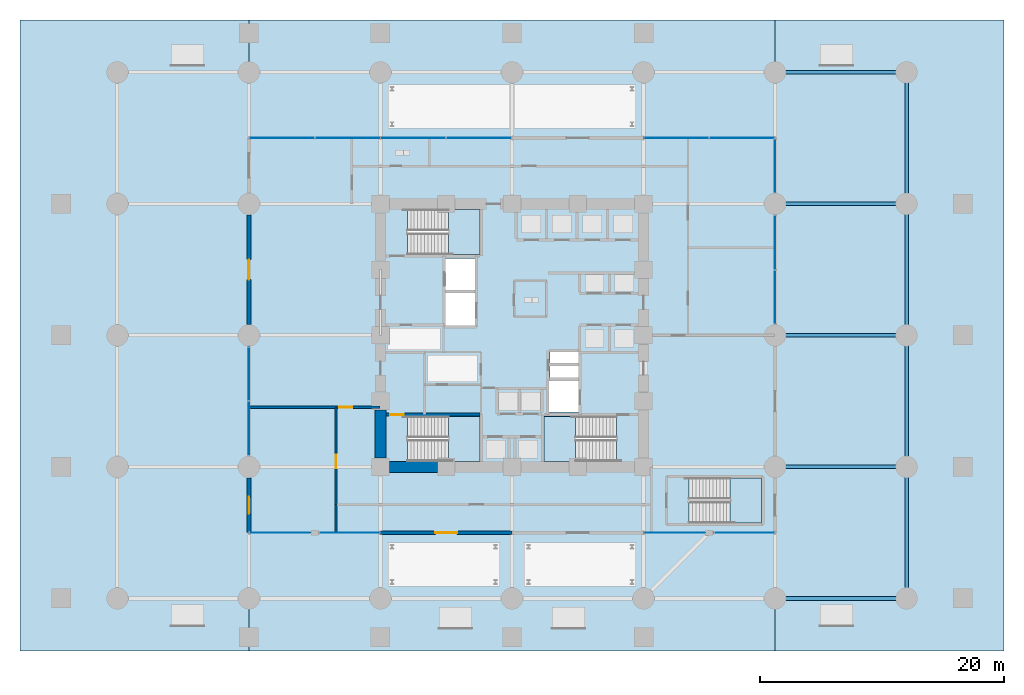
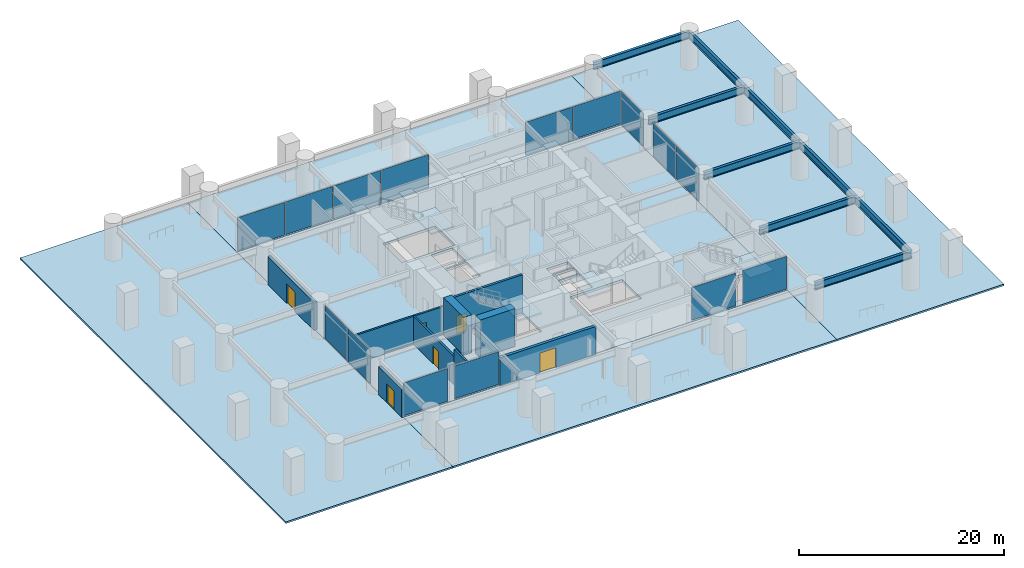
# One storey, part 18 of 29: 15 plates, 9 beams, 9 slabs, 9 walls, 6 doors, 6 openings, 10 elements without a shape of their own.
"""IFC4 building model written with IfcOpenShell, lengths in metres."""

from ifc_helpers import new_model, si_unit, direction, frame, frame_2d, origin, origin_2d, place, context, subcontext, project, spatial, polyline, rectangle, i_section, outline, extrude, material, layer, layer_set, material_profile, profile_set, type_object, element, fill, aggregate, save


model = new_model("IFC4")

# Units and contexts
model_context = context("Model", 3, precision=1e-05, world=origin(), true_north=direction((0.0, 1.0)))
body_context = subcontext(model_context, "Body", "Model", "MODEL_VIEW")
ifc_project = project(units=[si_unit("LENGTHUNIT", "METRE"), si_unit("AREAUNIT", "SQUARE_METRE"), si_unit("VOLUMEUNIT", "CUBIC_METRE"), si_unit("PLANEANGLEUNIT", "RADIAN"), si_unit("MASSUNIT", "GRAM", prefix="KILO")], contexts=[model_context])

# Site, building, storey
site_placement = place(None, origin())
site = spatial("IfcSite", under=ifc_project, at=site_placement, CompositionType="ELEMENT")
building_placement = place(site_placement, origin())
building = spatial("IfcBuilding", under=site, at=building_placement, Name="Surkhivell Harbour Commons", CompositionType="ELEMENT")
storey_placement = place(building_placement, origin())
storey = spatial("IfcBuildingStorey", under=building, at=storey_placement, Name="L00", CompositionType="ELEMENT", Elevation=0.0)

# Beams
ifc_material_1 = material(Name="Steel S460", Category="steel")
ifc_material_profile = material_profile(ifc_material_1, i_section(OverallWidth=0.2939453125, OverallDepth=0.85107421875, WebThickness=0.01611328125, FlangeThickness=0.02685546875, at=origin_2d()), Name="UB838x292x226")
ifc_profile_set = profile_set([ifc_material_profile], Name="Steel S460")
beam_type = type_object("IfcBeamType", Name="BM-SPN-838", PredefinedType="SPANDREL", material=ifc_profile_set)
for number, where, z_axis, x_axis, name in (
    (1, (21.60009765625, -21.60009765625, 3.7744140625), (1.0, 0.0, 0.0), (0.0, 1.0, 0.0), "L00 Framing Beam (21.6,-21.6)"),
    (2, (21.60009765625, -10.800048828125, 3.7744140625), (1.0, 0.0, 0.0), (0.0, 1.0, 0.0), "L00 Framing Beam (21.6,-10.8)"),
    (3, (21.60009765625, 0.0, 3.7744140625), (1.0, 0.0, 0.0), (0.0, 1.0, 0.0), "L00 Framing Beam (21.6,0.0)"),
    (4, (21.60009765625, 10.800048828125, 3.7744140625), (1.0, 0.0, 0.0), (0.0, 1.0, 0.0), "L00 Framing Beam (21.6,10.8)"),
    (5, (21.60009765625, 21.60009765625, 3.7744140625), (1.0, 0.0, 0.0), (0.0, 1.0, 0.0), "L00 Framing Beam (21.6,21.6)"),
):
    element("IfcBeam", number, at=place(storey_placement, frame(where, z_axis=z_axis, x_axis=x_axis)), inside=storey, type_object=beam_type, Name=name, PredefinedType="SPANDREL", context=body_context, shape_type="SweptSolid", body=[
        extrude(i_section(OverallWidth=0.2939453125, OverallDepth=0.85107421875, WebThickness=0.01611328125, FlangeThickness=0.02685546875, at=origin_2d()), origin(), (0.0, 0.0, 1.0), 10.7998046875),
    ])
for number, where, z_axis, x_axis, name in (
    (6, (32.39990234375, -21.60009765625, 3.7744140625), (0.0, 1.0, 0.0), (-1.0, 0.0, 0.0), "L00 Framing Beam (32.4,-21.6)"),
    (7, (32.39990234375, -10.800048828125, 3.7744140625), (0.0, 1.0, 0.0), (-1.0, 0.0, 0.0), "L00 Framing Beam (32.4,-10.8)"),
    (8, (32.39990234375, 0.0, 3.7744140625), (0.0, 1.0, 0.0), (-1.0, 0.0, 0.0), "L00 Framing Beam (32.4,0.0)"),
    (9, (32.39990234375, 10.800048828125, 3.7744140625), (0.0, 1.0, 0.0), (-1.0, 0.0, 0.0), "L00 Framing Beam (32.4,10.8)"),
):
    element("IfcBeam", number, at=place(storey_placement, frame(where, z_axis=z_axis, x_axis=x_axis)), inside=storey, type_object=beam_type, Name=name, PredefinedType="SPANDREL", context=body_context, shape_type="SweptSolid", body=[
        extrude(i_section(OverallWidth=0.2939453125, OverallDepth=0.85107421875, WebThickness=0.01611328125, FlangeThickness=0.02685546875, at=origin_2d()), origin(), (0.0, 0.0, 1.0), 10.800048828125),
    ])

# Curtain wall, plates
ifc_material_2 = material(Name="Anodised pale-metal aluminium and insulated glazing", Category="aluminium")
ifc_layer_1 = layer(ifc_material_2, 0.239990234375)
ifc_layer_set_1 = layer_set([ifc_layer_1], Name="Anodised pale-metal aluminium and insulated glazing")
curtain_wall_type = type_object("IfcCurtainWallType", Name="CW-SYS-POD", PredefinedType="NOTDEFINED", material=ifc_layer_set_1)
curtain_wall_1_placement = place(storey_placement, origin())
curtain_wall_1 = element("IfcCurtainWall", 10, at=curtain_wall_1_placement, inside=storey, type_object=curtain_wall_type, Name="L00 Curtain Wall CW-L00-P01", PredefinedType="NOTDEFINED")
ifc_material_3 = material(Name="Double-silver low-E laminated vision glass", Category="glass")
ifc_layer_2 = layer(ifc_material_3, 0.031982421875)
ifc_layer_set_2 = layer_set([ifc_layer_2], Name="Double-silver low-E laminated vision glass")
plate_type = type_object("IfcPlateType", Name="CWP-GLZ-32", PredefinedType="CURTAIN_PANEL", material=ifc_layer_set_2)
plate_1_placement = place(storey_placement, frame((-21.52490234375, -16.199951171875, 0.14990234375), z_axis=(0.0, 0.0, 1.0), x_axis=(1.0, 0.0, 0.0)))
plate_1 = element("IfcPlate", 11, at=plate_1_placement, type_object=plate_type, Name="CW-POD panel 1.1", PredefinedType="CURTAIN_PANEL", context=body_context, shape_type="SweptSolid", body=[
    extrude(rectangle(XDim=4.9228515625, YDim=0.031982421875, at=frame_2d((2.46142578125, 0.0))), origin(), (0.0, 0.0, 1.0), 3.900146484375),
])
plate_2_placement = place(storey_placement, frame((-15.798095703125, -16.199951171875, 0.14990234375), z_axis=(0.0, 0.0, 1.0), x_axis=(1.0, 0.0, 0.0)))
plate_2 = element("IfcPlate", 12, at=plate_2_placement, type_object=plate_type, Name="CW-POD panel 2.1", PredefinedType="CURTAIN_PANEL", context=body_context, shape_type="SweptSolid", body=[
    extrude(rectangle(XDim=4.923095703125, YDim=0.031982421875, at=frame_2d((2.46142578125, 0.0))), origin(), (0.0, 0.0, 1.0), 3.900146484375),
])
aggregate(curtain_wall_1, [plate_1, plate_2])

curtain_wall_2_placement = place(storey_placement, origin())
curtain_wall_2 = element("IfcCurtainWall", 13, at=curtain_wall_2_placement, inside=storey, type_object=curtain_wall_type, Name="L00 Curtain Wall CW-L00-P02", PredefinedType="NOTDEFINED")
plate_3_placement = place(storey_placement, frame((10.875, -16.199951171875, 0.14990234375), z_axis=(0.0, 0.0, 1.0), x_axis=(1.0, 0.0, 0.0)))
plate_3 = element("IfcPlate", 14, at=plate_3_placement, type_object=plate_type, Name="CW-POD panel 1.1", PredefinedType="CURTAIN_PANEL", context=body_context, shape_type="SweptSolid", body=[
    extrude(rectangle(XDim=4.923095703125, YDim=0.031982421875, at=frame_2d((2.46142578125, 0.0))), origin(), (0.0, 0.0, 1.0), 3.900146484375),
])
plate_4_placement = place(storey_placement, frame((16.60205078125, -16.199951171875, 0.14990234375), z_axis=(0.0, 0.0, 1.0), x_axis=(1.0, 0.0, 0.0)))
plate_4 = element("IfcPlate", 15, at=plate_4_placement, type_object=plate_type, Name="CW-POD panel 2.1", PredefinedType="CURTAIN_PANEL", context=body_context, shape_type="SweptSolid", body=[
    extrude(rectangle(XDim=4.9228515625, YDim=0.031982421875, at=frame_2d((2.46142578125, 0.0))), origin(), (0.0, 0.0, 1.0), 3.900146484375),
])
aggregate(curtain_wall_2, [plate_3, plate_4])

curtain_wall_3_placement = place(storey_placement, origin())
curtain_wall_3 = element("IfcCurtainWall", 16, at=curtain_wall_3_placement, inside=storey, type_object=curtain_wall_type, Name="L00 Curtain Wall CW-L00-P03", PredefinedType="NOTDEFINED")
plate_5_placement = place(storey_placement, frame((-21.52490234375, 16.199951171875, 0.14990234375), z_axis=(0.0, 0.0, 1.0), x_axis=(1.0, 0.0, 0.0)))
plate_5 = element("IfcPlate", 17, at=plate_5_placement, type_object=plate_type, Name="CW-POD panel 1.1", PredefinedType="CURTAIN_PANEL", context=body_context, shape_type="SweptSolid", body=[
    extrude(rectangle(XDim=5.287353515625, YDim=0.031982421875, at=frame_2d((2.6435546875, 0.0))), origin(), (0.0, 0.0, 1.0), 3.900146484375),
])
plate_6_placement = place(storey_placement, frame((-16.16259765625, 16.199951171875, 0.14990234375), z_axis=(0.0, 0.0, 1.0), x_axis=(1.0, 0.0, 0.0)))
plate_6 = element("IfcPlate", 18, at=plate_6_placement, type_object=plate_type, Name="CW-POD panel 2.1", PredefinedType="CURTAIN_PANEL", context=body_context, shape_type="SweptSolid", body=[
    extrude(rectangle(XDim=5.3251953125, YDim=0.031982421875, at=frame_2d((2.66259765625, 0.0))), origin(), (0.0, 0.0, 1.0), 3.900146484375),
])
plate_7_placement = place(storey_placement, frame((-10.762451171875, 16.199951171875, 0.14990234375), z_axis=(0.0, 0.0, 1.0), x_axis=(1.0, 0.0, 0.0)))
plate_7 = element("IfcPlate", 19, at=plate_7_placement, type_object=plate_type, Name="CW-POD panel 3.1", PredefinedType="CURTAIN_PANEL", context=body_context, shape_type="SweptSolid", body=[
    extrude(rectangle(XDim=5.324951171875, YDim=0.031982421875, at=frame_2d((2.66259765625, 0.0))), origin(), (0.0, 0.0, 1.0), 3.900146484375),
])
plate_8_placement = place(storey_placement, frame((-5.362548828125, 16.199951171875, 0.14990234375), z_axis=(0.0, 0.0, 1.0), x_axis=(1.0, 0.0, 0.0)))
plate_8 = element("IfcPlate", 20, at=plate_8_placement, type_object=plate_type, Name="CW-POD panel 4.1", PredefinedType="CURTAIN_PANEL", context=body_context, shape_type="SweptSolid", body=[
    extrude(rectangle(XDim=5.28759765625, YDim=0.031982421875, at=frame_2d((2.643798828125, 0.0))), origin(), (0.0, 0.0, 1.0), 3.900146484375),
])
aggregate(curtain_wall_3, [plate_5, plate_6, plate_7, plate_8])

curtain_wall_4_placement = place(storey_placement, origin())
curtain_wall_4 = element("IfcCurtainWall", 21, at=curtain_wall_4_placement, inside=storey, type_object=curtain_wall_type, Name="L00 Curtain Wall CW-L00-P04", PredefinedType="NOTDEFINED")
plate_9_placement = place(storey_placement, frame((10.875, 16.199951171875, 0.14990234375), z_axis=(0.0, 0.0, 1.0), x_axis=(1.0, 0.0, 0.0)))
plate_9 = element("IfcPlate", 22, at=plate_9_placement, type_object=plate_type, Name="CW-POD panel 1.1", PredefinedType="CURTAIN_PANEL", context=body_context, shape_type="SweptSolid", body=[
    extrude(rectangle(XDim=5.28759765625, YDim=0.031982421875, at=frame_2d((2.643798828125, 0.0))), origin(), (0.0, 0.0, 1.0), 3.900146484375),
])
plate_10_placement = place(storey_placement, frame((16.237548828125, 16.199951171875, 0.14990234375), z_axis=(0.0, 0.0, 1.0), x_axis=(1.0, 0.0, 0.0)))
plate_10 = element("IfcPlate", 23, at=plate_10_placement, type_object=plate_type, Name="CW-POD panel 2.1", PredefinedType="CURTAIN_PANEL", context=body_context, shape_type="SweptSolid", body=[
    extrude(rectangle(XDim=5.287353515625, YDim=0.031982421875, at=frame_2d((2.6435546875, 0.0))), origin(), (0.0, 0.0, 1.0), 3.900146484375),
])
aggregate(curtain_wall_4, [plate_9, plate_10])

curtain_wall_5_placement = place(storey_placement, origin())
curtain_wall_5 = element("IfcCurtainWall", 24, at=curtain_wall_5_placement, inside=storey, type_object=curtain_wall_type, Name="L00 Curtain Wall CW-L00-P05", PredefinedType="NOTDEFINED")
plate_11_placement = place(storey_placement, frame((-21.60009765625, -9.822998046875, 0.14990234375), z_axis=(0.0, 0.0, 1.0), x_axis=(0.0, 1.0, 0.0)))
plate_11 = element("IfcPlate", 25, at=plate_11_placement, type_object=plate_type, Name="CW-POD panel 1.1", PredefinedType="CURTAIN_PANEL", context=body_context, shape_type="SweptSolid", body=[
    extrude(rectangle(XDim=4.385498046875, YDim=0.031982421875, at=frame_2d((2.19287109375, 0.0))), origin(), (0.0, 0.0, 1.0), 3.900146484375),
])
plate_12_placement = place(storey_placement, frame((-21.60009765625, -5.362548828125, 0.14990234375), z_axis=(0.0, 0.0, 1.0), x_axis=(0.0, 1.0, 0.0)))
plate_12 = element("IfcPlate", 26, at=plate_12_placement, type_object=plate_type, Name="CW-POD panel 2.1", PredefinedType="CURTAIN_PANEL", context=body_context, shape_type="SweptSolid", body=[
    extrude(rectangle(XDim=4.385498046875, YDim=0.031982421875, at=frame_2d((2.19287109375, 0.0))), origin(), (0.0, 0.0, 1.0), 3.900146484375),
])
aggregate(curtain_wall_5, [plate_11, plate_12])

curtain_wall_6_placement = place(storey_placement, origin())
curtain_wall_6 = element("IfcCurtainWall", 27, at=curtain_wall_6_placement, inside=storey, type_object=curtain_wall_type, Name="L00 Curtain Wall CW-L00-P06", PredefinedType="NOTDEFINED")
plate_13_placement = place(storey_placement, frame((21.60009765625, 16.125, 0.14990234375), z_axis=(0.0, 0.0, 1.0), x_axis=(0.0, -1.0, 0.0)))
plate_13 = element("IfcPlate", 28, at=plate_13_placement, type_object=plate_type, Name="CW-POD panel 1.1", PredefinedType="CURTAIN_PANEL", context=body_context, shape_type="SweptSolid", body=[
    extrude(rectangle(XDim=4.347900390625, YDim=0.031982421875, at=frame_2d((2.173828125, 0.0))), origin(), (0.0, 0.0, 1.0), 3.900146484375),
])
plate_14_placement = place(storey_placement, frame((21.60009765625, 9.822998046875, 0.14990234375), z_axis=(0.0, 0.0, 1.0), x_axis=(0.0, -1.0, 0.0)))
plate_14 = element("IfcPlate", 29, at=plate_14_placement, type_object=plate_type, Name="CW-POD panel 2.1", PredefinedType="CURTAIN_PANEL", context=body_context, shape_type="SweptSolid", body=[
    extrude(rectangle(XDim=4.385498046875, YDim=0.031982421875, at=frame_2d((2.19287109375, 0.0))), origin(), (0.0, 0.0, 1.0), 3.900146484375),
])
plate_15_placement = place(storey_placement, frame((21.60009765625, 5.362548828125, 0.14990234375), z_axis=(0.0, 0.0, 1.0), x_axis=(0.0, -1.0, 0.0)))
plate_15 = element("IfcPlate", 30, at=plate_15_placement, type_object=plate_type, Name="CW-POD panel 3.1", PredefinedType="CURTAIN_PANEL", context=body_context, shape_type="SweptSolid", body=[
    extrude(rectangle(XDim=4.385498046875, YDim=0.031982421875, at=frame_2d((2.19287109375, 0.0))), origin(), (0.0, 0.0, 1.0), 3.900146484375),
])
aggregate(curtain_wall_6, [plate_13, plate_14, plate_15])

# Slabs
ifc_material_4 = material(Name="Precast concrete C40/50", Category="concrete")
ifc_layer_3 = layer(ifc_material_4, 0.199951171875)
ifc_layer_set_3 = layer_set([ifc_layer_3], Name="Precast concrete C40/50")
slab_type_1 = type_object("IfcSlabType", Name="SLB-PAV-200", PredefinedType="USERDEFINED", material=ifc_layer_set_3)
slab_1_placement = place(storey_placement, frame((0.0, 0.0, -0.199951171875)))
element("IfcSlab", 31, at=slab_1_placement, inside=storey, type_object=slab_type_1, Name="L00 Open-Stilt Public Plaza Paving W", ObjectType="PAVING", PredefinedType="USERDEFINED", context=body_context, shape_type="SweptSolid", body=[
    extrude(outline(polyline([(-40.39990234375, -25.89990234375), (-21.60009765625, -25.89990234375), (-21.60009765625, 25.89990234375), (-40.39990234375, 25.89990234375), (-40.39990234375, -25.89990234375)])), origin(), (0.0, 0.0, 1.0), 0.199951171875),
])
slab_2_placement = place(storey_placement, frame((0.0, 0.0, -0.199951171875)))
element("IfcSlab", 32, at=slab_2_placement, inside=storey, type_object=slab_type_1, Name="L00 Open-Stilt Public Plaza Paving E", ObjectType="PAVING", PredefinedType="USERDEFINED", context=body_context, shape_type="SweptSolid", body=[
    extrude(outline(polyline([(21.60009765625, -25.89990234375), (40.39990234375, -25.89990234375), (40.39990234375, 25.89990234375), (21.60009765625, 25.89990234375), (21.60009765625, -25.89990234375)])), origin(), (0.0, 0.0, 1.0), 0.199951171875),
])
slab_3_placement = place(storey_placement, frame((0.0, 0.0, -0.199951171875)))
element("IfcSlab", 33, at=slab_3_placement, inside=storey, type_object=slab_type_1, Name="L00 Open-Stilt Public Plaza Paving S", ObjectType="PAVING", PredefinedType="USERDEFINED", context=body_context, shape_type="SweptSolid", body=[
    extrude(outline(polyline([(-21.60009765625, -25.89990234375), (21.60009765625, -25.89990234375), (21.60009765625, -16.199951171875), (-21.60009765625, -16.199951171875), (-21.60009765625, -25.89990234375)])), origin(), (0.0, 0.0, 1.0), 0.199951171875),
])
slab_4_placement = place(storey_placement, frame((0.0, 0.0, -0.199951171875)))
element("IfcSlab", 34, at=slab_4_placement, inside=storey, type_object=slab_type_1, Name="L00 Open-Stilt Public Plaza Paving N", ObjectType="PAVING", PredefinedType="USERDEFINED", context=body_context, shape_type="SweptSolid", body=[
    extrude(outline(polyline([(-21.60009765625, 16.199951171875), (21.60009765625, 16.199951171875), (21.60009765625, 25.89990234375), (-21.60009765625, 25.89990234375), (-21.60009765625, 16.199951171875)])), origin(), (0.0, 0.0, 1.0), 0.199951171875),
])
ifc_material_5 = material(Name="Concrete C50/60", Category="concrete")
ifc_layer_4 = layer(ifc_material_5, 0.300048828125)
ifc_layer_set_4 = layer_set([ifc_layer_4], Name="Concrete C50/60")
slab_type_2 = type_object("IfcSlabType", Name="SLB-POD-300", PredefinedType="FLOOR", material=ifc_layer_set_4)
slab_5_placement = place(storey_placement, frame((0.0, 0.0, -0.300048828125)))
element("IfcSlab", 35, at=slab_5_placement, inside=storey, type_object=slab_type_2, Name="L00 Arrival Concourse Structural Slab", PredefinedType="FLOOR", context=body_context, shape_type="SweptSolid", body=[
    extrude(outline(polyline([(-21.60009765625, -16.199951171875), (21.60009765625, -16.199951171875), (21.60009765625, 16.199951171875), (-21.60009765625, 16.199951171875), (-21.60009765625, -16.199951171875)]), holes=[polyline([(-8.590087890625, 6.639892578125), (-2.639892578125, 6.639892578125), (-2.639892578125, 10.340087890625), (-8.590087890625, 10.340087890625), (-8.590087890625, 6.639892578125)]), polyline([(8.590087890625, -6.639892578125), (2.639892578125, -6.639892578125), (2.639892578125, -10.340087890625), (8.590087890625, -10.340087890625), (8.590087890625, -6.639892578125)]), polyline([(-8.590087890625, -10.340087890625), (-2.639892578125, -10.340087890625), (-2.639892578125, -6.639892578125), (-8.590087890625, -6.639892578125), (-8.590087890625, -10.340087890625)]), polyline([(14.550048828125, -15.39990234375), (20.5, -15.39990234375), (20.5, -11.699951171875), (14.550048828125, -11.699951171875), (14.550048828125, -15.39990234375)]), polyline([(-5.449951171875, 3.699951171875), (-3.050048828125, 3.699951171875), (-3.050048828125, 6.300048828125), (-5.449951171875, 6.300048828125), (-5.449951171875, 3.699951171875)]), polyline([(3.050048828125, -6.300048828125), (5.449951171875, -6.300048828125), (5.449951171875, -3.699951171875), (3.050048828125, -3.699951171875), (3.050048828125, -6.300048828125)]), polyline([(-5.449951171875, 0.800048828125), (-3.050048828125, 0.800048828125), (-3.050048828125, 3.5), (-5.449951171875, 3.5), (-5.449951171875, 0.800048828125)]), polyline([(3.10009765625, -3.550048828125), (5.449951171875, -3.550048828125), (5.449951171875, -2.47998046875), (3.10009765625, -2.47998046875), (3.10009765625, -3.550048828125)]), polyline([(3.10009765625, -2.280029296875), (5.449951171875, -2.280029296875), (5.449951171875, -1.35009765625), (3.10009765625, -1.35009765625), (3.10009765625, -2.280029296875)])]), origin(), (0.0, 0.0, 1.0), 0.300048828125),
])

# Stair, slab
ifc_material_6 = material(Name="Precast concrete C45/55", Category="concrete")
stair_type = type_object("IfcStairType", Name="STR-DL-450", PredefinedType="HALF_TURN_STAIR", material=ifc_material_6)
stair_1_placement = place(storey_placement, origin())
stair_1 = element("IfcStair", 36, at=stair_1_placement, inside=storey, type_object=stair_type, Name="L00 Core Exit Stair ST1", PredefinedType="HALF_TURN_STAIR")
ifc_material_7 = material(Name="Reinforced concrete C45/55", Category="concrete")
ifc_layer_5 = layer(ifc_material_7, 0.199951171875)
ifc_layer_set_5 = layer_set([ifc_layer_5], Name="Reinforced concrete C45/55")
slab_type_3 = type_object("IfcSlabType", Name="SLB-ST-LND200", PredefinedType="LANDING", material=ifc_layer_set_5)
slab_6_placement = place(storey_placement, frame((0.0, 0.0, 2.050048828125)))
slab_6 = element("IfcSlab", 37, at=slab_6_placement, type_object=slab_type_3, Name="ST1 landing 1", PredefinedType="LANDING", context=body_context, shape_type="SweptSolid", body=[
    extrude(outline(polyline([(-5.22998046875, 6.639892578125), (-2.639892578125, 6.639892578125), (-2.639892578125, 10.340087890625), (-5.22998046875, 10.340087890625), (-5.22998046875, 6.639892578125)])), origin(), (0.0, 0.0, 1.0), 0.199951171875),
])
aggregate(stair_1, [slab_6])

stair_2_placement = place(storey_placement, origin())
stair_2 = element("IfcStair", 38, at=stair_2_placement, inside=storey, type_object=stair_type, Name="L00 Core Exit Stair ST2", PredefinedType="HALF_TURN_STAIR")
slab_7_placement = place(storey_placement, frame((0.0, 0.0, 2.050048828125)))
slab_7 = element("IfcSlab", 39, at=slab_7_placement, type_object=slab_type_3, Name="ST2 landing 1", PredefinedType="LANDING", context=body_context, shape_type="SweptSolid", body=[
    extrude(outline(polyline([(5.22998046875, -6.639892578125), (2.639892578125, -6.639892578125), (2.639892578125, -10.340087890625), (5.22998046875, -10.340087890625), (5.22998046875, -6.639892578125)])), origin(), (0.0, 0.0, 1.0), 0.199951171875),
])
aggregate(stair_2, [slab_7])

stair_3_placement = place(storey_placement, origin())
stair_3 = element("IfcStair", 40, at=stair_3_placement, inside=storey, type_object=stair_type, Name="L00 Core Exit Stair ST3", PredefinedType="HALF_TURN_STAIR")
slab_8_placement = place(storey_placement, frame((0.0, 0.0, 2.050048828125)))
slab_8 = element("IfcSlab", 41, at=slab_8_placement, type_object=slab_type_3, Name="ST3 landing 1", PredefinedType="LANDING", context=body_context, shape_type="SweptSolid", body=[
    extrude(outline(polyline([(-5.22998046875, -10.340087890625), (-2.639892578125, -10.340087890625), (-2.639892578125, -6.639892578125), (-5.22998046875, -6.639892578125), (-5.22998046875, -10.340087890625)])), origin(), (0.0, 0.0, 1.0), 0.199951171875),
])
aggregate(stair_3, [slab_8])

stair_4_placement = place(storey_placement, origin())
stair_4 = element("IfcStair", 42, at=stair_4_placement, inside=storey, type_object=stair_type, Name="L00 Podium Exit Stair ST4", PredefinedType="HALF_TURN_STAIR")
slab_9_placement = place(storey_placement, frame((0.0, 0.0, 2.050048828125)))
slab_9 = element("IfcSlab", 43, at=slab_9_placement, type_object=slab_type_3, Name="ST4 landing 1", PredefinedType="LANDING", context=body_context, shape_type="SweptSolid", body=[
    extrude(outline(polyline([(17.909912109375, -15.39990234375), (20.5, -15.39990234375), (20.5, -11.699951171875), (17.909912109375, -11.699951171875), (17.909912109375, -15.39990234375)])), origin(), (0.0, 0.0, 1.0), 0.199951171875),
])
aggregate(stair_4, [slab_9])

# Walls
ifc_material_8 = material(Name="Concrete C80/95", Category="concrete")
ifc_layer_6 = layer(ifc_material_8, 0.89990234375)
ifc_layer_set_6 = layer_set([ifc_layer_6], Name="Concrete C80/95")
wall_type_1 = type_object("IfcWallType", Name="WAL-CORE-900", PredefinedType="SHEAR", material=ifc_layer_set_6)
for number, where, z_axis, x_axis, name in (
    (44, (-10.06494140625, -10.800048828125, 0.0), (0.0, 0.0, 1.0), (1.0, 0.0, 0.0), "L00 Core Shear Wall South 1"),
    (45, (-10.800048828125, -10.06494140625, 0.0), (0.0, 0.0, 1.0), (0.0, 1.0, 0.0), "L00 Core Shear Wall West 1"),
):
    element("IfcWall", number, at=place(storey_placement, frame(where, z_axis=z_axis, x_axis=x_axis)), inside=storey, type_object=wall_type_1, Name=name, PredefinedType="SHEAR", context=body_context, shape_type="SweptSolid", body=[
        extrude(rectangle(XDim=3.929931640625, YDim=0.89990234375, at=frame_2d((1.96484375, 0.0))), origin(), (0.0, 0.0, 1.0), 4.5),
    ])

# Wall, opening, door
ifc_material_9 = material(Name="Kiln-fired surkhi brick and precast concrete C45/55", Category="masonry")
ifc_layer_7 = layer(ifc_material_9, 0.320068359375)
ifc_layer_set_7 = layer_set([ifc_layer_7], Name="Kiln-fired surkhi brick and precast concrete C45/55")
wall_type_2 = type_object("IfcWallType", Name="WAL-EXT-BRK320", PredefinedType="STANDARD", material=ifc_layer_set_7)
wall_1_placement = place(storey_placement, frame((0.0, -16.199951171875, 0.0), z_axis=(0.0, 0.0, 1.0), x_axis=(-1.0, 0.0, 0.0)))
wall_1 = element("IfcWall", 46, at=wall_1_placement, inside=storey, type_object=wall_type_2, Name="L00 Concourse Brick Facade Wall L00-EXS1", PredefinedType="STANDARD", context=body_context, shape_type="SweptSolid", body=[
    extrude(rectangle(XDim=10.800048828125, YDim=0.320068359375, at=frame_2d((5.39990234375, 0.0))), origin(), (0.0, 0.0, 1.0), 3.3291015625),
])
opening_1_placement = place(wall_1_placement, frame((4.5, 0.0, 0.0)))
opening_1 = element("IfcOpeningElement", 47, at=opening_1_placement, cuts=wall_1, Name="Opening ED-1", PredefinedType="OPENING", context=body_context, shape_type="SweptSolid", body=[
    extrude(rectangle(XDim=1.800048828125, YDim=2.35009765625, at=frame_2d((0.89990234375, 1.175048828125))), frame((0.0, 0.169921875, 0.0), z_axis=(0.0, -1.0, 0.0), x_axis=(1.0, 0.0, 0.0)), (0.0, 0.0, 1.0), 0.340087890625),
])
ifc_material_10 = material(Name="Anodised pale-metal aluminium and laminated safety glass", Category="aluminium")
door_type_1 = type_object("IfcDoorType", Name="DOR-EXT-EXIT1800", OperationType="DOUBLE_DOOR_SINGLE_SWING", PredefinedType="DOOR", material=ifc_material_10)
door_1_placement = place(opening_1_placement, origin())
door_1 = element("IfcDoor", 48, at=door_1_placement, inside=storey, type_object=door_type_1, Name="L00 Main South Arrival Final Exit Door 1", OperationType="DOUBLE_DOOR_SINGLE_SWING", OverallHeight=2.35009765625, OverallWidth=1.800048828125, PredefinedType="DOOR", context=body_context, shape_type="SweptSolid", body=[
    extrude(rectangle(XDim=1.800048828125, YDim=2.35009765625, at=frame_2d((0.89990234375, 1.175048828125))), frame((0.0, 0.02490234375, 0.0), z_axis=(0.0, -1.0, 0.0), x_axis=(1.0, 0.0, 0.0)), (0.0, 0.0, 1.0), 0.050048828125),
])
fill(opening_1, door_1)

wall_2_placement = place(storey_placement, frame((-21.60009765625, 0.89794921875, 0.0), z_axis=(0.0, 0.0, 1.0), x_axis=(0.0, 1.0, 0.0)))
wall_2 = element("IfcWall", 49, at=wall_2_placement, inside=storey, type_object=wall_type_2, Name="L00 Concourse Brick Facade Wall L00-EXW1", PredefinedType="STANDARD", context=body_context, shape_type="SweptSolid", body=[
    extrude(rectangle(XDim=9.004150390625, YDim=0.320068359375, at=frame_2d((4.501953125, 0.0))), origin(), (0.0, 0.0, 1.0), 3.3291015625),
])
opening_2_placement = place(wall_2_placement, frame((3.677001953125, 0.0, 0.0)))
opening_2 = element("IfcOpeningElement", 50, at=opening_2_placement, cuts=wall_2, Name="Opening ED-2", PredefinedType="OPENING", context=body_context, shape_type="SweptSolid", body=[
    extrude(rectangle(XDim=1.64990234375, YDim=2.300048828125, at=frame_2d((0.824951171875, 1.14990234375))), frame((0.0, 0.169921875, 0.0), z_axis=(0.0, -1.0, 0.0), x_axis=(1.0, 0.0, 0.0)), (0.0, 0.0, 1.0), 0.340087890625),
])
door_type_2 = type_object("IfcDoorType", Name="DOR-EXT-EXIT1650", OperationType="DOUBLE_DOOR_SINGLE_SWING", PredefinedType="DOOR", material=ifc_material_10)
door_2_placement = place(opening_2_placement, origin())
door_2 = element("IfcDoor", 51, at=door_2_placement, inside=storey, type_object=door_type_2, Name="L00 West Stair Discharge Final Exit Door", OperationType="DOUBLE_DOOR_SINGLE_SWING", OverallHeight=2.300048828125, OverallWidth=1.64990234375, PredefinedType="DOOR", context=body_context, shape_type="SweptSolid", body=[
    extrude(rectangle(XDim=1.64990234375, YDim=2.300048828125, at=frame_2d((0.824951171875, 1.14990234375))), frame((0.0, 0.02490234375, 0.0), z_axis=(0.0, -1.0, 0.0), x_axis=(1.0, 0.0, 0.0)), (0.0, 0.0, 1.0), 0.050048828125),
])
fill(opening_2, door_2)

wall_3_placement = place(storey_placement, frame((-21.60009765625, -16.199951171875, 0.0), z_axis=(0.0, 0.0, 1.0), x_axis=(0.0, 1.0, 0.0)))
wall_3 = element("IfcWall", 52, at=wall_3_placement, inside=storey, type_object=wall_type_2, Name="L00 Concourse Brick Facade Wall L00-EXW2", PredefinedType="STANDARD", context=body_context, shape_type="SweptSolid", body=[
    extrude(rectangle(XDim=4.501953125, YDim=0.320068359375, at=frame_2d((2.2509765625, 0.0))), origin(), (0.0, 0.0, 1.0), 3.3291015625),
])
opening_3_placement = place(wall_3_placement, frame((1.551025390625, 0.0, 0.0)))
opening_3 = element("IfcOpeningElement", 53, at=opening_3_placement, cuts=wall_3, Name="Opening EG-1", PredefinedType="OPENING", context=body_context, shape_type="SweptSolid", body=[
    extrude(rectangle(XDim=1.39990234375, YDim=2.199951171875, at=frame_2d((0.699951171875, 1.10009765625))), frame((0.0, 0.169921875, 0.0), z_axis=(0.0, -1.0, 0.0), x_axis=(1.0, 0.0, 0.0)), (0.0, 0.0, 1.0), 0.340087890625),
])
door_type_3 = type_object("IfcDoorType", Name="DOR-EXT-SRV1400", OperationType="DOUBLE_DOOR_SINGLE_SWING", PredefinedType="GATE", material=ifc_material_10)
door_3_placement = place(opening_3_placement, origin())
door_3 = element("IfcDoor", 54, at=door_3_placement, inside=storey, type_object=door_type_3, Name="L00 West Bicycle Hub Service Exit Gate", OperationType="SINGLE_SWING_LEFT", OverallHeight=2.199951171875, OverallWidth=1.39990234375, PredefinedType="GATE", context=body_context, shape_type="SweptSolid", body=[
    extrude(rectangle(XDim=1.39990234375, YDim=2.199951171875, at=frame_2d((0.699951171875, 1.10009765625))), frame((0.0, 0.02490234375, 0.0), z_axis=(0.0, -1.0, 0.0), x_axis=(1.0, 0.0, 0.0)), (0.0, 0.0, 1.0), 0.050048828125),
])
fill(opening_3, door_3)

ifc_material_11 = material(Name="Autoclaved aerated concrete blockwork and fire plaster", Category="masonry")
ifc_layer_8 = layer(ifc_material_11, 0.199951171875)
ifc_layer_set_8 = layer_set([ifc_layer_8], Name="Autoclaved aerated concrete blockwork and fire plaster")
wall_type_3 = type_object("IfcWallType", Name="WAL-INT-200", PredefinedType="PARTITIONING", material=ifc_layer_set_8)
wall_4_placement = place(storey_placement, frame((-21.56005859375, -5.89990234375, 0.0), z_axis=(0.0, 0.0, 1.0), x_axis=(1.0, 0.0, 0.0)))
wall_4 = element("IfcWall", 55, at=wall_4_placement, inside=storey, type_object=wall_type_3, Name="L00 West Protected Exit Passage South Wall", PredefinedType="PARTITIONING", context=body_context, shape_type="SweptSolid", body=[
    extrude(rectangle(XDim=10.7099609375, YDim=0.199951171875, at=frame_2d((5.35498046875, 0.0))), origin(), (0.0, 0.0, 1.0), 3.3291015625),
])
opening_4_placement = place(wall_4_placement, frame((7.360107421875, 0.0, 0.0)))
opening_4 = element("IfcOpeningElement", 56, at=opening_4_placement, cuts=wall_4, Name="Opening ID-2", PredefinedType="OPENING", context=body_context, shape_type="SweptSolid", body=[
    extrude(rectangle(XDim=1.10009765625, YDim=2.10009765625, at=frame_2d((0.550048828125, 1.050048828125))), frame((0.0, 0.10986328125, 0.0), z_axis=(0.0, -1.0, 0.0), x_axis=(1.0, 0.0, 0.0)), (0.0, 0.0, 1.0), 0.219970703125),
])
ifc_material_12 = material(Name="Hardwood-veneered fire-rated door leaf", Category="wood")
door_type_4 = type_object("IfcDoorType", Name="DOR-FD60-1100", OperationType="NOTDEFINED", PredefinedType="DOOR", material=ifc_material_12)
door_4_placement = place(opening_4_placement, origin())
door_4 = element("IfcDoor", 57, at=door_4_placement, inside=storey, type_object=door_type_4, Name="L00 West Exit Passage South Cross Door", OperationType="SINGLE_SWING_LEFT", OverallHeight=2.10009765625, OverallWidth=1.10009765625, PredefinedType="DOOR", context=body_context, shape_type="SweptSolid", body=[
    extrude(rectangle(XDim=1.10009765625, YDim=2.10009765625, at=frame_2d((0.550048828125, 1.050048828125))), frame((0.0, 0.02490234375, 0.0), z_axis=(0.0, -1.0, 0.0), x_axis=(1.0, 0.0, 0.0)), (0.0, 0.0, 1.0), 0.050048828125),
])
fill(opening_4, door_4)

# Wall
wall_5_placement = place(storey_placement, frame((-14.449951171875, -16.159912109375, 0.0), z_axis=(0.0, 0.0, 1.0), x_axis=(0.0, 1.0, 0.0)))
element("IfcWall", 58, at=wall_5_placement, inside=storey, type_object=wall_type_3, Name="L00 Ground SW Corner Wall", PredefinedType="PARTITIONING", context=body_context, shape_type="SweptSolid", body=[
    extrude(rectangle(XDim=2.260009765625, YDim=0.199951171875, at=frame_2d((1.1298828125, 0.0))), origin(), (0.0, 0.0, 1.0), 4.199951171875),
])

# Wall, opening, door
wall_6_placement = place(storey_placement, frame((-14.449951171875, -13.89990234375, 0.0), z_axis=(0.0, 0.0, 1.0), x_axis=(0.0, 1.0, 0.0)))
wall_6 = element("IfcWall", 59, at=wall_6_placement, inside=storey, type_object=wall_type_3, Name="L00 Concourse South-West Wall", PredefinedType="PARTITIONING", context=body_context, shape_type="SweptSolid", body=[
    extrude(rectangle(XDim=8.0, YDim=0.199951171875, at=frame_2d((4.0, 0.0))), origin(), (0.0, 0.0, 1.0), 3.3291015625),
])
opening_5_placement = place(wall_6_placement, frame((3.0, 0.0, 0.0)))
opening_5 = element("IfcOpeningElement", 60, at=opening_5_placement, cuts=wall_6, Name="Opening ID-2", PredefinedType="OPENING", context=body_context, shape_type="SweptSolid", body=[
    extrude(rectangle(XDim=1.10009765625, YDim=2.10009765625, at=frame_2d((0.550048828125, 1.050048828125))), frame((0.0, 0.10986328125, 0.0), z_axis=(0.0, -1.0, 0.0), x_axis=(1.0, 0.0, 0.0)), (0.0, 0.0, 1.0), 0.219970703125),
])
door_5_placement = place(opening_5_placement, origin())
door_5 = element("IfcDoor", 61, at=door_5_placement, inside=storey, type_object=door_type_4, Name="L00 Resident Bicycle Storage Hub Door", OperationType="SINGLE_SWING_LEFT", OverallHeight=2.10009765625, OverallWidth=1.10009765625, PredefinedType="DOOR", context=body_context, shape_type="SweptSolid", body=[
    extrude(rectangle(XDim=1.10009765625, YDim=2.10009765625, at=frame_2d((0.550048828125, 1.050048828125))), frame((0.0, 0.02490234375, 0.0), z_axis=(0.0, -1.0, 0.0), x_axis=(1.0, 0.0, 0.0)), (0.0, 0.0, 1.0), 0.050048828125),
])
fill(opening_5, door_5)

ifc_layer_9 = layer(ifc_material_5, 0.25)
ifc_layer_set_9 = layer_set([ifc_layer_9], Name="Concrete C50/60")
wall_type_4 = type_object("IfcWallType", Name="WAL-SHAFT-250", PredefinedType="SHEAR", material=ifc_layer_set_9)
wall_7_placement = place(storey_placement, frame((-10.340087890625, -6.510009765625, 0.0), z_axis=(0.0, 0.0, 1.0), x_axis=(1.0, 0.0, 0.0)))
wall_7 = element("IfcWall", 62, at=wall_7_placement, inside=storey, type_object=wall_type_4, Name="L00 Stair ST3 North Shear Wall", PredefinedType="SHEAR", context=body_context, shape_type="SweptSolid", body=[
    extrude(rectangle(XDim=7.7001953125, YDim=0.25, at=frame_2d((3.85009765625, 0.0))), origin(), (0.0, 0.0, 1.0), 4.5),
])
opening_6_placement = place(wall_7_placement, frame((0.35009765625, 0.0, 0.0)))
opening_6 = element("IfcOpeningElement", 63, at=opening_6_placement, cuts=wall_7, Name="Opening ID-2", PredefinedType="OPENING", context=body_context, shape_type="SweptSolid", body=[
    extrude(rectangle(XDim=1.10009765625, YDim=2.10009765625, at=frame_2d((0.550048828125, 1.050048828125))), frame((0.0, 0.135009765625, 0.0), z_axis=(0.0, -1.0, 0.0), x_axis=(1.0, 0.0, 0.0)), (0.0, 0.0, 1.0), 0.27001953125),
])
door_6_placement = place(opening_6_placement, origin())
door_6 = element("IfcDoor", 64, at=door_6_placement, inside=storey, type_object=door_type_4, Name="L00 Stair ST3 Exit Door", OperationType="SINGLE_SWING_RIGHT", OverallHeight=2.10009765625, OverallWidth=1.10009765625, PredefinedType="DOOR", context=body_context, shape_type="SweptSolid", body=[
    extrude(rectangle(XDim=1.10009765625, YDim=2.10009765625, at=frame_2d((0.550048828125, 1.050048828125))), frame((0.0, 0.02490234375, 0.0), z_axis=(0.0, -1.0, 0.0), x_axis=(1.0, 0.0, 0.0)), (0.0, 0.0, 1.0), 0.050048828125),
])
fill(opening_6, door_6)

save(model, "model.ifc")
